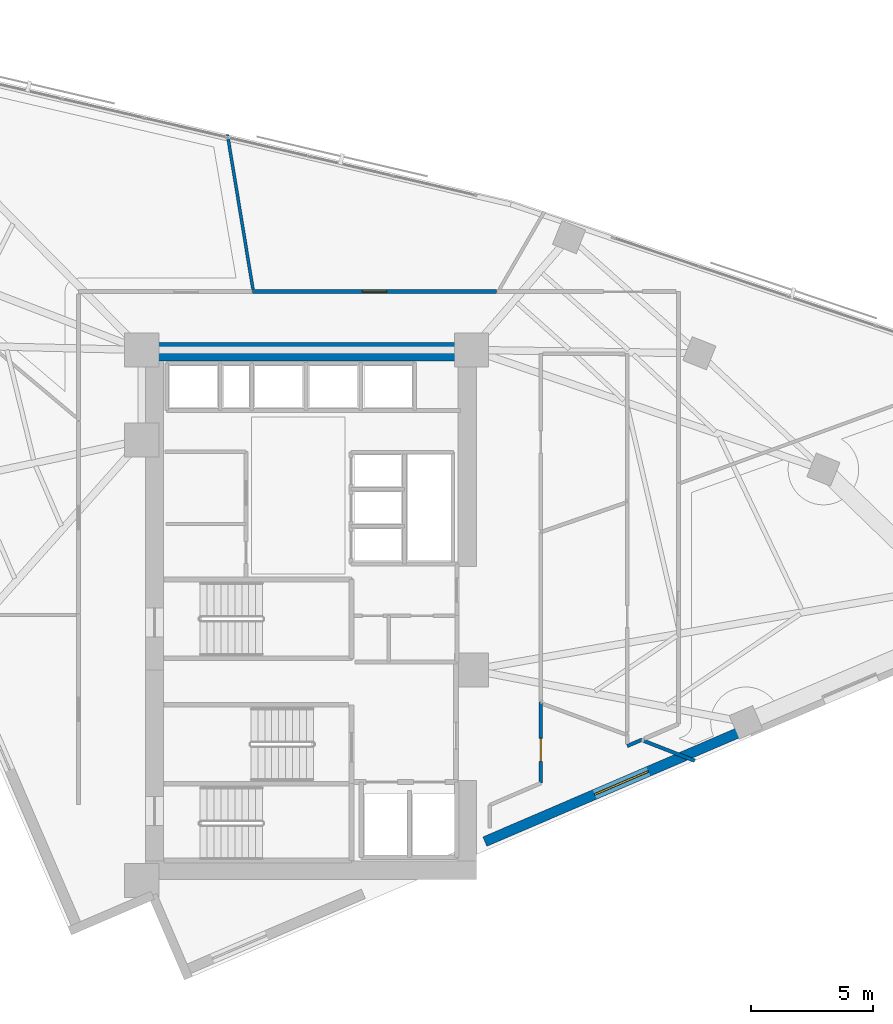
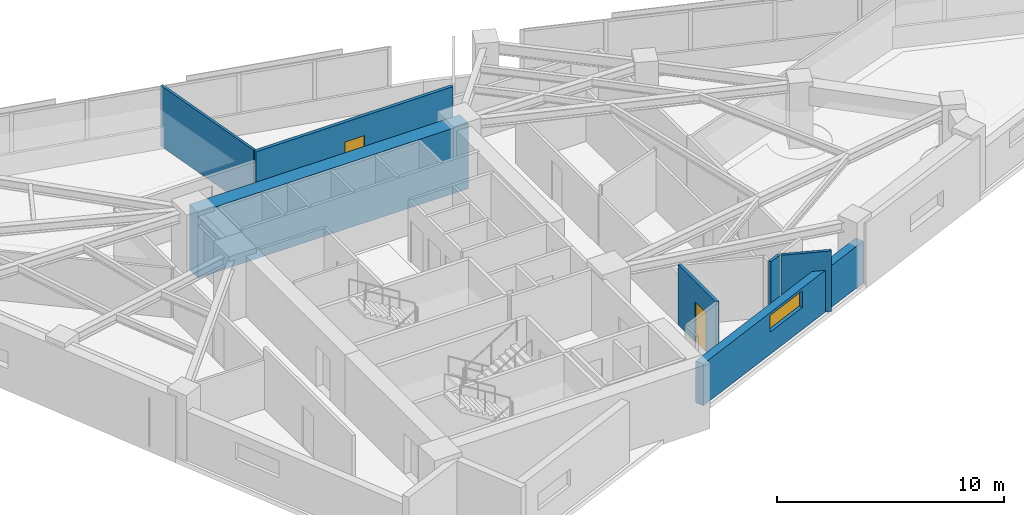
# One storey, part 10 of 14: 7 walls, 2 doors, 1 window, 3 openings.
"""IFC4 building model written with IfcOpenShell, lengths in metres."""

from ifc_helpers import new_model, si_unit, direction, frame, frame_2d, origin, place, context, subcontext, project, spatial, rectangle, extrude, material, layer, layer_set, type_object, element, fill, save


model = new_model("IFC4")

# Units and contexts
model_context = context("Model", 3, precision=1e-05, world=origin(), true_north=direction((0.0, 1.0)))
body_context = subcontext(model_context, "Body", "Model", "MODEL_VIEW")
ifc_project = project(units=[si_unit("LENGTHUNIT", "METRE"), si_unit("AREAUNIT", "SQUARE_METRE"), si_unit("VOLUMEUNIT", "CUBIC_METRE"), si_unit("PLANEANGLEUNIT", "RADIAN"), si_unit("MASSUNIT", "GRAM", prefix="KILO")], contexts=[model_context])

# Site, building, storey
site_placement = place(None, origin())
site = spatial("IfcSite", under=ifc_project, at=site_placement, CompositionType="ELEMENT")
building_placement = place(site_placement, origin())
building = spatial("IfcBuilding", under=site, at=building_placement, Name="Narakoshi Arena Tower", CompositionType="ELEMENT")
storey_placement = place(building_placement, frame((0.0, 0.0, 182.6201171875)))
storey = spatial("IfcBuildingStorey", under=building, at=storey_placement, Name="L49", CompositionType="ELEMENT", Elevation=182.6201171875)

# Wall
ifc_material_1 = material(Name="Concrete C50/60", Category="concrete")
ifc_layer_1 = layer(ifc_material_1, 0.75)
ifc_layer_set_1 = layer_set([ifc_layer_1], Name="Concrete C50/60")
wall_type_1 = type_object("IfcWallType", Name="WL-CORE-750", PredefinedType="SHEAR", material=ifc_layer_set_1)
wall_1_placement = place(storey_placement, frame((72.0, 56.425048828125, -0.260009765625), z_axis=(0.0, 0.0, 1.0), x_axis=(1.0, 0.0, 0.0)))
element("IfcWall", 1, at=wall_1_placement, inside=storey, type_object=wall_type_1, Name="L49 Main Core Shear Wall CW-MN-N", PredefinedType="SHEAR", context=body_context, shape_type="SweptSolid", body=[
    extrude(rectangle(XDim=13.75, YDim=0.75, at=frame_2d((6.875, 0.0))), origin(), (0.0, 0.0, 1.0), 3.519775390625),
])

# Wall, opening, door
ifc_material_2 = material(Name="Gypsum plasterboard fire-rated partition")
ifc_layer_2 = layer(ifc_material_2, 0.1650390625)
ifc_layer_set_2 = layer_set([ifc_layer_2], Name="Gypsum plasterboard fire-rated partition")
wall_type_2 = type_object("IfcWallType", Name="WL-CORR-165", PredefinedType="PARTITIONING", material=ifc_layer_set_2)
wall_2_placement = place(storey_placement, frame((86.573486328125, 58.89990234375, 0.0), z_axis=(0.0, 0.0, 1.0), x_axis=(-1.0, 0.0, 0.0)))
wall_2 = element("IfcWall", 2, at=wall_2_placement, inside=storey, type_object=wall_type_2, Name="L49 Corridor Partition 07-1", PredefinedType="PARTITIONING", context=body_context, shape_type="SweptSolid", body=[
    extrude(rectangle(XDim=10.022705078125, YDim=0.1650390625, at=frame_2d((5.01123046875, 0.0))), origin(), (0.0, 0.0, 1.0), 3.259765625),
])
opening_1_placement = place(wall_2_placement, frame((4.511474609375, 0.0, 0.0)))
opening_1 = element("IfcOpeningElement", 3, at=opening_1_placement, cuts=wall_2, Name="Opening D-06", PredefinedType="OPENING", context=body_context, shape_type="SweptSolid", body=[
    extrude(rectangle(XDim=1.0, YDim=2.199951171875, at=frame_2d((0.5, 1.10009765625))), frame((0.0, 0.092529296875, 0.0), z_axis=(0.0, -1.0, 0.0), x_axis=(1.0, 0.0, 0.0)), (0.0, 0.0, 1.0), 0.18505859375),
])
ifc_material_3 = material(Name="Stained oak solid-core timber", Category="wood")
door_type_1 = type_object("IfcDoorType", Name="DR-OFF-1000", OperationType="NOTDEFINED", PredefinedType="DOOR", material=ifc_material_3)
door_1_placement = place(opening_1_placement, frame((1.0, 0.0, 0.0), z_axis=(0.0, 0.0, 1.0), x_axis=(-1.0, 0.0, 0.0)))
door_1 = element("IfcDoor", 4, at=door_1_placement, inside=storey, type_object=door_type_1, Name="DR-L49-021", OperationType="SINGLE_SWING_LEFT", OverallHeight=2.199951171875, OverallWidth=1.0, PredefinedType="DOOR", context=body_context, shape_type="SweptSolid", body=[
    extrude(rectangle(XDim=1.0, YDim=2.199951171875, at=frame_2d((0.5, 1.10009765625))), frame((0.0, 0.02490234375, 0.0), z_axis=(0.0, -1.0, 0.0), x_axis=(1.0, 0.0, 0.0)), (0.0, 0.0, 1.0), 0.050048828125),
])
fill(opening_1, door_1)

# Wall
ifc_layer_3 = layer(ifc_material_2, 0.125)
ifc_layer_set_3 = layer_set([ifc_layer_3], Name="Gypsum plasterboard fire-rated partition")
wall_type_3 = type_object("IfcWallType", Name="WL-PART-125", PredefinedType="PARTITIONING", material=ifc_layer_set_3)
wall_3_placement = place(storey_placement, frame((76.57080078125, 58.994384765625, 0.0), z_axis=(0.0, 0.0, 1.0), x_axis=(-0.162839325956, 0.986652600423, 0.0)))
element("IfcWall", 5, at=wall_3_placement, inside=storey, type_object=wall_type_3, Name="L49 Inter-Room Partition 07-08", PredefinedType="PARTITIONING", context=body_context, shape_type="SweptSolid", body=[
    extrude(rectangle(XDim=6.448486328125, YDim=0.125, at=frame_2d((3.22412109375, 0.0))), origin(), (0.0, 0.0, 1.0), 3.259765625),
])

# Wall, opening, window
ifc_material_4 = material(Name="Precast concrete C45/55", Category="concrete")
ifc_layer_4 = layer(ifc_material_4, 0.419921875)
ifc_layer_set_4 = layer_set([ifc_layer_4], Name="Precast concrete C45/55")
wall_type_4 = type_object("IfcWallType", Name="WL-POD-420", PredefinedType="SOLIDWALL", material=ifc_layer_set_4)
wall_4_placement = place(storey_placement, frame((86.10009765625, 36.296142578125, 0.0), z_axis=(0.0, 0.0, 1.0), x_axis=(0.918792412723, 0.394741057306, 0.0)))
wall_4 = element("IfcWall", 6, at=wall_4_placement, inside=storey, type_object=wall_type_4, Name="L49 Architectural Concrete Facade Wall LEGA-2", PredefinedType="SOLIDWALL", context=body_context, shape_type="SweptSolid", body=[
    extrude(rectangle(XDim=11.79443359375, YDim=0.419921875, at=frame_2d((5.897216796875, 0.0))), origin(), (0.0, 0.0, 1.0), 2.244873046875),
])
opening_2_placement = place(wall_4_placement, frame((4.910888671875, 0.0, 1.199951171875)))
opening_2 = element("IfcOpeningElement", 7, at=opening_2_placement, cuts=wall_4, Name="Opening WN-01", PredefinedType="OPENING", context=body_context, shape_type="SweptSolid", body=[
    extrude(rectangle(XDim=2.39990234375, YDim=0.89990234375, at=frame_2d((1.199951171875, 0.449951171875))), frame((0.0, 0.219970703125, 0.0), z_axis=(0.0, -1.0, 0.0), x_axis=(1.0, 0.0, 0.0)), (0.0, 0.0, 1.0), 0.43994140625),
])
ifc_material_5 = material(Name="Bronze-tinted low-E laminated glass", Category="glass")
window_type = type_object("IfcWindowType", Name="WIN-SLT-24x09", PartitioningType="SINGLE_PANEL", PredefinedType="WINDOW", material=ifc_material_5)
window_placement = place(opening_2_placement, origin())
window = element("IfcWindow", 8, at=window_placement, inside=storey, type_object=window_type, Name="L49 LEGA2 Horizontal Slot Window 1", OverallHeight=0.89990234375, OverallWidth=2.39990234375, PartitioningType="SINGLE_PANEL", PredefinedType="WINDOW", context=body_context, shape_type="SweptSolid", body=[
    extrude(rectangle(XDim=2.39990234375, YDim=0.89990234375, at=frame_2d((1.199951171875, 0.449951171875))), frame((0.0, 0.030029296875, 0.0), z_axis=(0.0, -1.0, 0.0), x_axis=(1.0, 0.0, 0.0)), (0.0, 0.0, 1.0), 0.06005859375),
])
fill(opening_2, window)

# Wall, opening, door
ifc_material_6 = material(Name="Moisture-resistant cement-board partition")
ifc_layer_5 = layer(ifc_material_6, 0.14501953125)
ifc_layer_set_5 = layer_set([ifc_layer_5], Name="Moisture-resistant cement-board partition")
wall_type_5 = type_object("IfcWallType", Name="WL-WET-145", PredefinedType="PARTITIONING", material=ifc_layer_set_5)
wall_5_placement = place(storey_placement, frame((88.39990234375, 38.69921875, 0.0), z_axis=(0.0, 0.0, 1.0), x_axis=(0.0, 1.0, 0.0)))
wall_5 = element("IfcWall", 9, at=wall_5_placement, inside=storey, type_object=wall_type_5, Name="L49 Corridor Partition 02-1", PredefinedType="PARTITIONING", context=body_context, shape_type="SweptSolid", body=[
    extrude(rectangle(XDim=3.327392578125, YDim=0.14501953125, at=frame_2d((1.66357421875, 0.0))), origin(), (0.0, 0.0, 1.0), 3.259765625),
])
opening_3_placement = place(wall_5_placement, frame((0.89208984375, 0.0, 0.0)))
opening_3 = element("IfcOpeningElement", 10, at=opening_3_placement, cuts=wall_5, Name="Opening D-07", PredefinedType="OPENING", context=body_context, shape_type="SweptSolid", body=[
    extrude(rectangle(XDim=0.949951171875, YDim=2.14990234375, at=frame_2d((0.47509765625, 1.074951171875))), frame((0.0, 0.08251953125, 0.0), z_axis=(0.0, -1.0, 0.0), x_axis=(1.0, 0.0, 0.0)), (0.0, 0.0, 1.0), 0.1650390625),
])
door_type_2 = type_object("IfcDoorType", Name="DR-ACC-950", OperationType="NOTDEFINED", PredefinedType="DOOR", material=ifc_material_3)
door_2_placement = place(opening_3_placement, frame((0.949951171875, 0.0, 0.0), z_axis=(0.0, 0.0, 1.0), x_axis=(-1.0, 0.0, 0.0)))
door_2 = element("IfcDoor", 11, at=door_2_placement, inside=storey, type_object=door_type_2, Name="DR-L49-016", OperationType="SINGLE_SWING_RIGHT", OverallHeight=2.14990234375, OverallWidth=0.949951171875, PredefinedType="DOOR", context=body_context, shape_type="SweptSolid", body=[
    extrude(rectangle(XDim=0.949951171875, YDim=2.14990234375, at=frame_2d((0.47509765625, 1.074951171875))), frame((0.0, 0.02490234375, 0.0), z_axis=(0.0, -1.0, 0.0), x_axis=(1.0, 0.0, 0.0)), (0.0, 0.0, 1.0), 0.050048828125),
])
fill(opening_3, door_2)

# Walls
wall_6_placement = place(storey_placement, frame((91.949951171875, 40.224609375, 0.0), z_axis=(0.0, 0.0, 1.0), x_axis=(0.918761815861, 0.394812266421, 0.0)))
element("IfcWall", 12, at=wall_6_placement, inside=storey, type_object=wall_type_5, Name="L49 Corridor Partition 02-3", PredefinedType="PARTITIONING", context=body_context, shape_type="SweptSolid", body=[
    extrude(rectangle(XDim=0.659912109375, YDim=0.14501953125, at=frame_2d((0.330078125, 0.0))), origin(), (0.0, 0.0, 1.0), 3.259765625),
])
wall_7_placement = place(storey_placement, frame((92.631103515625, 40.436767578125, 0.0), z_axis=(0.0, 0.0, 1.0), x_axis=(0.931460804404, -0.363841682411, 0.0)))
element("IfcWall", 13, at=wall_7_placement, inside=storey, type_object=wall_type_5, Name="L49 Inter-Room Partition 02-04", PredefinedType="PARTITIONING", context=body_context, shape_type="SweptSolid", body=[
    extrude(rectangle(XDim=2.2451171875, YDim=0.14501953125, at=frame_2d((1.12255859375, 0.0))), origin(), (0.0, 0.0, 1.0), 3.259765625),
])

save(model, "model.ifc")
